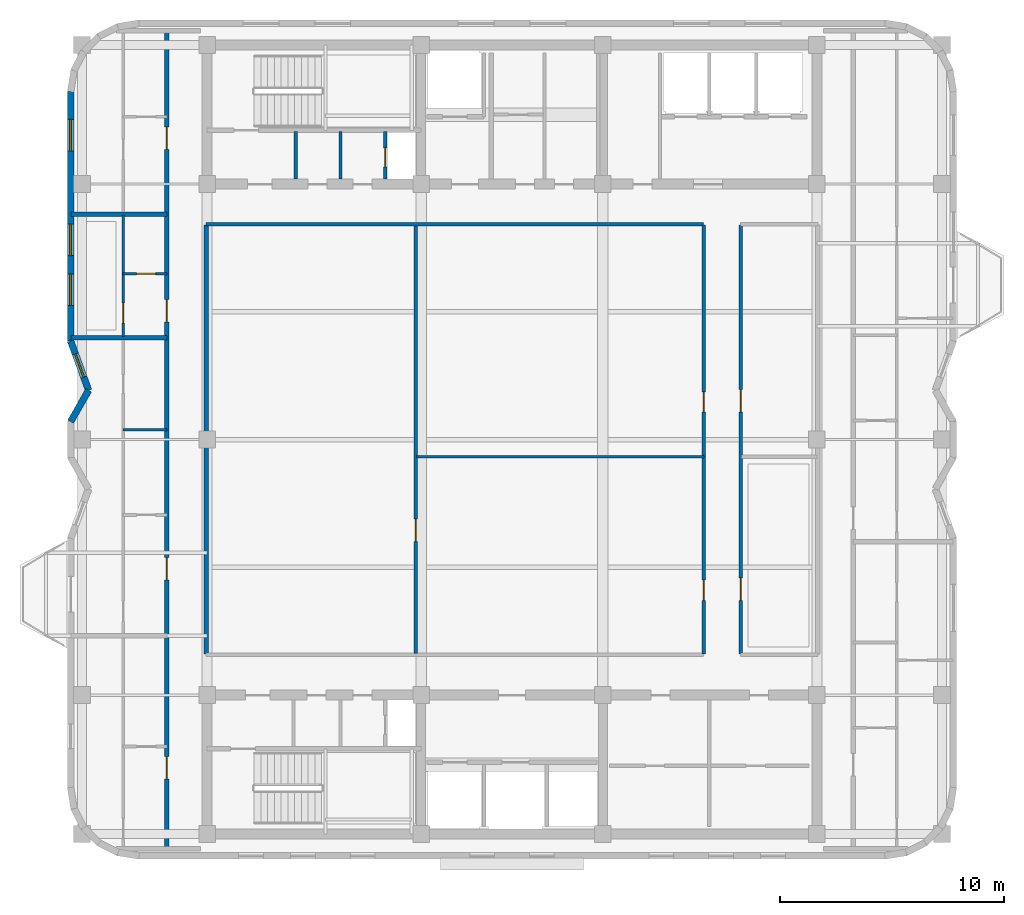
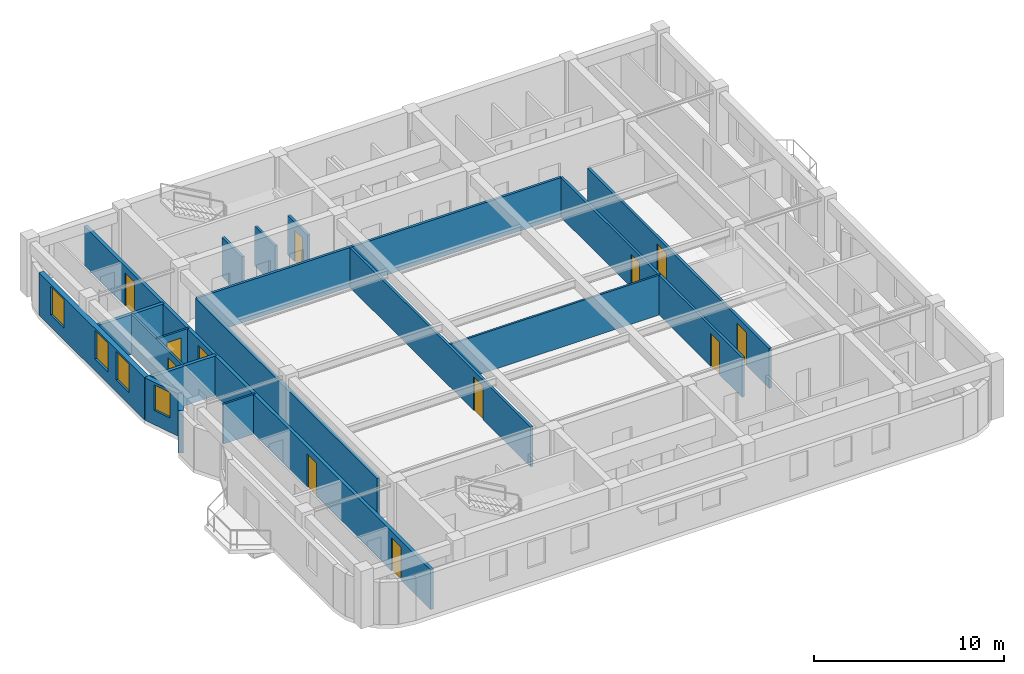
# One storey, part 4 of 9: 18 walls, 12 doors, 4 windows, 16 openings.
"""IFC4 building model written with IfcOpenShell, lengths in metres."""

from ifc_helpers import new_model, si_unit, direction, frame, frame_2d, origin, place, context, subcontext, project, spatial, rectangle, extrude, material, layer, layer_set, type_object, element, fill, save


model = new_model("IFC4")

# Units and contexts
model_context = context("Model", 3, precision=1e-05, world=origin(), true_north=direction((0.0, 1.0)))
body_context = subcontext(model_context, "Body", "Model", "MODEL_VIEW")
ifc_project = project(units=[si_unit("LENGTHUNIT", "METRE"), si_unit("AREAUNIT", "SQUARE_METRE"), si_unit("VOLUMEUNIT", "CUBIC_METRE"), si_unit("PLANEANGLEUNIT", "RADIAN"), si_unit("MASSUNIT", "GRAM", prefix="KILO")], contexts=[model_context])

# Site, building, storey
site_placement = place(None, origin())
site = spatial("IfcSite", under=ifc_project, at=site_placement, CompositionType="ELEMENT")
building_placement = place(site_placement, origin())
building = spatial("IfcBuilding", under=site, at=building_placement, Name="Svetorya Sky Lyceum", CompositionType="ELEMENT")
storey_placement = place(building_placement, frame((0.0, 0.0, 271.300048828125)))
storey = spatial("IfcBuildingStorey", under=building, at=storey_placement, Name="L68", CompositionType="ELEMENT", Elevation=271.300048828125)

# Wall, openings, windows
ifc_material_1 = material(Name="Putilovo limestone rainscreen on autoclaved cellular masonry", Category="masonry")
ifc_layer_1 = layer(ifc_material_1, 0.300048828125)
ifc_layer_set_1 = layer_set([ifc_layer_1], Name="Putilovo limestone rainscreen on autoclaved cellular masonry")
wall_type_1 = type_object("IfcWallType", Name="WL-EXT-300", PredefinedType="SOLIDWALL", material=ifc_layer_set_1)
wall_1_placement = place(storey_placement, frame((19.510009765625, 43.719970703125, 0.0), z_axis=(0.0, 0.0, 1.0), x_axis=(0.0, -1.0, 0.0)))
wall_1 = element("IfcWall", 1, at=wall_1_placement, inside=storey, type_object=wall_type_1, Name="L68 Limestone Exterior Wall 30M", PredefinedType="SOLIDWALL", context=body_context, shape_type="SweptSolid", body=[
    extrude(rectangle(XDim=11.119873046875, YDim=0.300048828125, at=frame_2d((5.56005859375, 0.0))), origin(), (0.0, 0.0, 1.0), 2.72998046875),
])
opening_1_placement = place(wall_1_placement, frame((1.23681640625, 0.0, 0.760009765625)))
opening_1 = element("IfcOpeningElement", 2, at=opening_1_placement, cuts=wall_1, Name="Opening W-R2", PredefinedType="OPENING", context=body_context, shape_type="SweptSolid", body=[
    extrude(rectangle(XDim=1.39990234375, YDim=1.85009765625, at=frame_2d((0.699951171875, 0.925048828125))), frame((0.0, 0.159912109375, 0.0), z_axis=(0.0, -1.0, 0.0), x_axis=(1.0, 0.0, 0.0)), (0.0, 0.0, 1.0), 0.320068359375),
])
opening_2_placement = place(wall_1_placement, frame((5.909912109375, 0.0, 0.760009765625)))
opening_2 = element("IfcOpeningElement", 3, at=opening_2_placement, cuts=wall_1, Name="Opening W-R2", PredefinedType="OPENING", context=body_context, shape_type="SweptSolid", body=[
    extrude(rectangle(XDim=1.39990234375, YDim=1.85009765625, at=frame_2d((0.699951171875, 0.925048828125))), frame((0.0, 0.159912109375, 0.0), z_axis=(0.0, -1.0, 0.0), x_axis=(1.0, 0.0, 0.0)), (0.0, 0.0, 1.0), 0.320068359375),
])
opening_3_placement = place(wall_1_placement, frame((8.13330078125, 0.0, 0.760009765625)))
opening_3 = element("IfcOpeningElement", 4, at=opening_3_placement, cuts=wall_1, Name="Opening W-R2", PredefinedType="OPENING", context=body_context, shape_type="SweptSolid", body=[
    extrude(rectangle(XDim=1.39990234375, YDim=1.85009765625, at=frame_2d((0.699951171875, 0.925048828125))), frame((0.0, 0.159912109375, 0.0), z_axis=(0.0, -1.0, 0.0), x_axis=(1.0, 0.0, 0.0)), (0.0, 0.0, 1.0), 0.320068359375),
])
ifc_material_2 = material(Name="Thermally broken aluminium frame with triple low-E glazing", Category="aluminium")
window_type_1 = type_object("IfcWindowType", Name="WN-RES-140", PartitioningType="SINGLE_PANEL", PredefinedType="WINDOW", material=ifc_material_2)
window_1_placement = place(opening_1_placement, origin())
window_1 = element("IfcWindow", 5, at=window_1_placement, inside=storey, type_object=window_type_1, Name="L68 Facade Window W-R2.30M.1", OverallHeight=1.85009765625, OverallWidth=1.39990234375, PartitioningType="SINGLE_PANEL", PredefinedType="WINDOW", context=body_context, shape_type="SweptSolid", body=[
    extrude(rectangle(XDim=1.39990234375, YDim=1.85009765625, at=frame_2d((0.699951171875, 0.925048828125))), frame((0.0, 0.030029296875, 0.0), z_axis=(0.0, -1.0, 0.0), x_axis=(1.0, 0.0, 0.0)), (0.0, 0.0, 1.0), 0.06005859375),
])
fill(opening_1, window_1)
window_2_placement = place(opening_2_placement, origin())
window_2 = element("IfcWindow", 6, at=window_2_placement, inside=storey, type_object=window_type_1, Name="L68 Facade Window W-R2.30M.2", OverallHeight=1.85009765625, OverallWidth=1.39990234375, PartitioningType="SINGLE_PANEL", PredefinedType="WINDOW", context=body_context, shape_type="SweptSolid", body=[
    extrude(rectangle(XDim=1.39990234375, YDim=1.85009765625, at=frame_2d((0.699951171875, 0.925048828125))), frame((0.0, 0.030029296875, 0.0), z_axis=(0.0, -1.0, 0.0), x_axis=(1.0, 0.0, 0.0)), (0.0, 0.0, 1.0), 0.06005859375),
])
fill(opening_2, window_2)
window_3_placement = place(opening_3_placement, origin())
window_3 = element("IfcWindow", 7, at=window_3_placement, inside=storey, type_object=window_type_1, Name="L68 Facade Window W-R2.30M.3", OverallHeight=1.85009765625, OverallWidth=1.39990234375, PartitioningType="SINGLE_PANEL", PredefinedType="WINDOW", context=body_context, shape_type="SweptSolid", body=[
    extrude(rectangle(XDim=1.39990234375, YDim=1.85009765625, at=frame_2d((0.699951171875, 0.925048828125))), frame((0.0, 0.030029296875, 0.0), z_axis=(0.0, -1.0, 0.0), x_axis=(1.0, 0.0, 0.0)), (0.0, 0.0, 1.0), 0.06005859375),
])
fill(opening_3, window_3)

# Wall, opening, window
wall_2_placement = place(storey_placement, frame((19.510009765625, 32.60009765625, 0.0), z_axis=(0.0, 0.0, 1.0), x_axis=(0.341734690003, -0.939796468204, 0.0)))
wall_2 = element("IfcWall", 8, at=wall_2_placement, inside=storey, type_object=wall_type_1, Name="L68 Limestone Exterior Wall 31M", PredefinedType="SOLIDWALL", context=body_context, shape_type="SweptSolid", body=[
    extrude(rectangle(XDim=2.341064453125, YDim=0.300048828125, at=frame_2d((1.17041015625, 0.0))), origin(), (0.0, 0.0, 1.0), 2.72998046875),
])
opening_4_placement = place(wall_2_placement, frame((0.62060546875, 0.0, 0.919921875)))
opening_4 = element("IfcOpeningElement", 9, at=opening_4_placement, cuts=wall_2, Name="Opening W-R3", PredefinedType="OPENING", context=body_context, shape_type="SweptSolid", body=[
    extrude(rectangle(XDim=1.10009765625, YDim=1.64990234375, at=frame_2d((0.550048828125, 0.824951171875))), frame((0.0, 0.159912109375, 0.0), z_axis=(0.0, -1.0, 0.0), x_axis=(1.0, 0.0, 0.0)), (0.0, 0.0, 1.0), 0.320068359375),
])
window_type_2 = type_object("IfcWindowType", Name="WN-RES-110", PartitioningType="SINGLE_PANEL", PredefinedType="WINDOW", material=ifc_material_2)
window_4_placement = place(opening_4_placement, origin())
window_4 = element("IfcWindow", 10, at=window_4_placement, inside=storey, type_object=window_type_2, Name="L68 Facade Window W-R3.31M.1", OverallHeight=1.64990234375, OverallWidth=1.10009765625, PartitioningType="SINGLE_PANEL", PredefinedType="WINDOW", context=body_context, shape_type="SweptSolid", body=[
    extrude(rectangle(XDim=1.10009765625, YDim=1.64990234375, at=frame_2d((0.550048828125, 0.824951171875))), frame((0.0, 0.030029296875, 0.0), z_axis=(0.0, -1.0, 0.0), x_axis=(1.0, 0.0, 0.0)), (0.0, 0.0, 1.0), 0.06005859375),
])
fill(opening_4, window_4)

# Walls
wall_3_placement = place(storey_placement, frame((20.31005859375, 30.39990234375, 0.0), z_axis=(0.0, 0.0, 1.0), x_axis=(-0.496187856351, -0.868215187157, 0.0)))
element("IfcWall", 11, at=wall_3_placement, inside=storey, type_object=wall_type_1, Name="L68 Limestone Exterior Wall 32M", PredefinedType="SOLIDWALL", context=body_context, shape_type="SweptSolid", body=[
    extrude(rectangle(XDim=1.6123046875, YDim=0.300048828125, at=frame_2d((0.80615234375, 0.0))), origin(), (0.0, 0.0, 1.0), 2.72998046875),
])
ifc_material_3 = material(Name="Twin-stud galvanized framing with double fireboard", Category="gypsum")
ifc_layer_2 = layer(ifc_material_3, 0.1201171875)
ifc_layer_set_2 = layer_set([ifc_layer_2], Name="Twin-stud galvanized framing with double fireboard")
wall_type_2 = type_object("IfcWallType", Name="WL-PART-120", PredefinedType="PARTITIONING", material=ifc_layer_set_2)
wall_4_placement = place(storey_placement, frame((34.949951171875, 27.434326171875, 0.0), z_axis=(0.0, 0.0, 1.0), x_axis=(1.0, 0.0, 0.0)))
element("IfcWall", 12, at=wall_4_placement, inside=storey, type_object=wall_type_2, Name="L68 Interior Partition OFF-WHM", PredefinedType="PARTITIONING", context=body_context, shape_type="SweptSolid", body=[
    extrude(rectangle(XDim=12.81005859375, YDim=0.1201171875, at=frame_2d((6.405029296875, 0.0))), origin(), (0.0, 0.0, 1.0), 2.56005859375),
])
wall_5_placement = place(storey_placement, frame((21.85009765625, 28.639892578125, 0.0), z_axis=(0.0, 0.0, 1.0), x_axis=(1.0, 0.0, 0.0)))
element("IfcWall", 13, at=wall_5_placement, inside=storey, type_object=wall_type_2, Name="L68 Interior Partition W2-WH2", PredefinedType="PARTITIONING", context=body_context, shape_type="SweptSolid", body=[
    extrude(rectangle(XDim=1.949951171875, YDim=0.1201171875, at=frame_2d((0.97509765625, 0.0))), origin(), (0.0, 0.0, 1.0), 2.56005859375),
])

# Wall, opening, door
wall_6_placement = place(storey_placement, frame((21.85009765625, 35.60009765625, 0.0), z_axis=(0.0, 0.0, 1.0), x_axis=(1.0, 0.0, 0.0)))
wall_6 = element("IfcWall", 14, at=wall_6_placement, inside=storey, type_object=wall_type_2, Name="L68 Interior Partition W3-WH1", PredefinedType="PARTITIONING", context=body_context, shape_type="SweptSolid", body=[
    extrude(rectangle(XDim=1.949951171875, YDim=0.1201171875, at=frame_2d((0.97509765625, 0.0))), origin(), (0.0, 0.0, 1.0), 2.56005859375),
])
opening_5_placement = place(wall_6_placement, frame((0.60009765625, 0.0, 0.0)))
opening_5 = element("IfcOpeningElement", 15, at=opening_5_placement, cuts=wall_6, Name="Opening D-BT1", PredefinedType="OPENING", context=body_context, shape_type="SweptSolid", body=[
    extrude(rectangle(XDim=0.85009765625, YDim=2.10009765625, at=frame_2d((0.425048828125, 1.050048828125))), frame((0.0, 0.070068359375, 0.0), z_axis=(0.0, -1.0, 0.0), x_axis=(1.0, 0.0, 0.0)), (0.0, 0.0, 1.0), 0.14013671875),
])
ifc_material_4 = material(Name="Moisture-resistant laminate bathroom door")
door_type_1 = type_object("IfcDoorType", Name="DR-WET-850", OperationType="SINGLE_SWING_LEFT", PredefinedType="DOOR", material=ifc_material_4)
door_1_placement = place(opening_5_placement, origin())
door_1 = element("IfcDoor", 16, at=door_1_placement, inside=storey, type_object=door_type_1, Name="Apartment W3 Bathroom Door", OperationType="SINGLE_SWING_LEFT", OverallHeight=2.10009765625, OverallWidth=0.85009765625, PredefinedType="DOOR", context=body_context, shape_type="SweptSolid", body=[
    extrude(rectangle(XDim=0.85009765625, YDim=2.10009765625, at=frame_2d((0.425048828125, 1.050048828125))), frame((0.0, 0.02490234375, 0.0), z_axis=(0.0, -1.0, 0.0), x_axis=(1.0, 0.0, 0.0)), (0.0, 0.0, 1.0), 0.050048828125),
])
fill(opening_5, door_1)

wall_7_placement = place(storey_placement, frame((21.85009765625, 32.7900390625, 0.0), z_axis=(0.0, 0.0, 1.0), x_axis=(0.0, 1.0, 0.0)))
wall_7 = element("IfcWall", 17, at=wall_7_placement, inside=storey, type_object=wall_type_2, Name="L68 Interior Partition W3-WV", PredefinedType="PARTITIONING", context=body_context, shape_type="SweptSolid", body=[
    extrude(rectangle(XDim=5.419921875, YDim=0.1201171875, at=frame_2d((2.7099609375, 0.0))), origin(), (0.0, 0.0, 1.0), 2.56005859375),
])
opening_6_placement = place(wall_7_placement, frame((0.610107421875, 0.0, 0.0)))
opening_6 = element("IfcOpeningElement", 18, at=opening_6_placement, cuts=wall_7, Name="Opening D-RM1", PredefinedType="OPENING", context=body_context, shape_type="SweptSolid", body=[
    extrude(rectangle(XDim=0.89990234375, YDim=2.10009765625, at=frame_2d((0.449951171875, 1.050048828125))), frame((0.0, 0.070068359375, 0.0), z_axis=(0.0, -1.0, 0.0), x_axis=(1.0, 0.0, 0.0)), (0.0, 0.0, 1.0), 0.14013671875),
])
ifc_material_5 = material(Name="Lacquered birch veneer internal door")
door_type_2 = type_object("IfcDoorType", Name="DR-INT-900", OperationType="SINGLE_SWING_LEFT", PredefinedType="DOOR", material=ifc_material_5)
door_2_placement = place(opening_6_placement, origin())
door_2 = element("IfcDoor", 19, at=door_2_placement, inside=storey, type_object=door_type_2, Name="Apartment W3 Living Door", OperationType="SINGLE_SWING_RIGHT", OverallHeight=2.10009765625, OverallWidth=0.89990234375, PredefinedType="DOOR", context=body_context, shape_type="SweptSolid", body=[
    extrude(rectangle(XDim=0.89990234375, YDim=2.10009765625, at=frame_2d((0.449951171875, 1.050048828125))), frame((0.0, 0.02490234375, 0.0), z_axis=(0.0, -1.0, 0.0), x_axis=(1.0, 0.0, 0.0)), (0.0, 0.0, 1.0), 0.050048828125),
])
fill(opening_6, door_2)

ifc_material_6 = material(Name="Autoclaved cellular masonry blockwork with acoustic render", Category="masonry")
ifc_layer_3 = layer(ifc_material_6, 0.14990234375)
ifc_layer_set_3 = layer_set([ifc_layer_3], Name="Autoclaved cellular masonry blockwork with acoustic render")
wall_type_3 = type_object("IfcWallType", Name="WL-PART-150", PredefinedType="PARTITIONING", material=ifc_layer_set_3)
wall_8_placement = place(storey_placement, frame((33.550048828125, 39.820068359375, 0.0), z_axis=(0.0, 0.0, 1.0), x_axis=(0.0, 1.0, 0.0)))
wall_8 = element("IfcWall", 20, at=wall_8_placement, inside=storey, type_object=wall_type_3, Name="L68 Interior Partition NC-RSRW", PredefinedType="PARTITIONING", context=body_context, shape_type="SweptSolid", body=[
    extrude(rectangle(XDim=2.1298828125, YDim=0.14990234375, at=frame_2d((1.06494140625, 0.0))), origin(), (0.0, 0.0, 1.0), 2.56005859375),
])
opening_7_placement = place(wall_8_placement, frame((0.550048828125, 0.0, 0.0)))
opening_7 = element("IfcOpeningElement", 21, at=opening_7_placement, cuts=wall_8, Name="Opening D-SH1", PredefinedType="OPENING", context=body_context, shape_type="SweptSolid", body=[
    extrude(rectangle(XDim=0.85009765625, YDim=2.050048828125, at=frame_2d((0.425048828125, 1.02490234375))), frame((0.0, 0.0849609375, 0.0), z_axis=(0.0, -1.0, 0.0), x_axis=(1.0, 0.0, 0.0)), (0.0, 0.0, 1.0), 0.169921875),
])
ifc_material_7 = material(Name="Insulated galvanized riser inspection fire door")
door_type_3 = type_object("IfcDoorType", Name="DR-SHFT-850", OperationType="SINGLE_SWING_LEFT", PredefinedType="TRAPDOOR", material=ifc_material_7)
door_3_placement = place(opening_7_placement, origin())
door_3 = element("IfcDoor", 22, at=door_3_placement, inside=storey, type_object=door_type_3, Name="L68 North Riser Access Door", OperationType="SINGLE_SWING_LEFT", OverallHeight=2.050048828125, OverallWidth=0.85009765625, PredefinedType="TRAPDOOR", context=body_context, shape_type="SweptSolid", body=[
    extrude(rectangle(XDim=0.85009765625, YDim=2.050048828125, at=frame_2d((0.425048828125, 1.02490234375))), frame((0.0, 0.02490234375, 0.0), z_axis=(0.0, -1.0, 0.0), x_axis=(1.0, 0.0, 0.0)), (0.0, 0.0, 1.0), 0.050048828125),
])
fill(opening_7, door_3)

# Walls
for number, where, z_axis, x_axis, name in (
    (23, (29.550048828125, 39.820068359375, 0.0), (0.0, 0.0, 1.0), (0.0, 1.0, 0.0), "L68 Interior Partition NC-NWD1"),
    (24, (31.550048828125, 39.820068359375, 0.0), (0.0, 0.0, 1.0), (0.0, 1.0, 0.0), "L68 Interior Partition NC-NWD2"),
):
    element("IfcWall", number, at=place(storey_placement, frame(where, z_axis=z_axis, x_axis=x_axis)), inside=storey, type_object=wall_type_3, Name=name, PredefinedType="PARTITIONING", context=body_context, shape_type="SweptSolid", body=[
        extrude(rectangle(XDim=2.1298828125, YDim=0.14990234375, at=frame_2d((1.06494140625, 0.0))), origin(), (0.0, 0.0, 1.0), 2.56005859375),
    ])
wall_9_placement = place(storey_placement, frame((25.550048828125, 37.800048828125, 0.0), z_axis=(0.0, 0.0, 1.0), x_axis=(1.0, 0.0, 0.0)))
element("IfcWall", 25, at=wall_9_placement, inside=storey, type_object=wall_type_3, Name="L68 Interior Partition OFF-CN-W", PredefinedType="PARTITIONING", context=body_context, shape_type="SweptSolid", body=[
    extrude(rectangle(XDim=22.199951171875, YDim=0.14990234375, at=frame_2d((11.10009765625, 0.0))), origin(), (0.0, 0.0, 1.0), 2.56005859375),
])

# Wall, opening, door
wall_10_placement = place(storey_placement, frame((34.89990234375, 18.659912109375, 0.0), z_axis=(0.0, 0.0, 1.0), x_axis=(0.0, 1.0, 0.0)))
wall_10 = element("IfcWall", 26, at=wall_10_placement, inside=storey, type_object=wall_type_3, Name="L68 Interior Partition OFF-WVM", PredefinedType="PARTITIONING", context=body_context, shape_type="SweptSolid", body=[
    extrude(rectangle(XDim=19.080078125, YDim=0.14990234375, at=frame_2d((9.5400390625, 0.0))), origin(), (0.0, 0.0, 1.0), 2.56005859375),
])
opening_8_placement = place(wall_10_placement, frame((5.0, 0.0, 0.0)))
opening_8 = element("IfcOpeningElement", 27, at=opening_8_placement, cuts=wall_10, Name="Opening D-RM2", PredefinedType="OPENING", context=body_context, shape_type="SweptSolid", body=[
    extrude(rectangle(XDim=1.0, YDim=2.14990234375, at=frame_2d((0.5, 1.074951171875))), frame((0.0, 0.0849609375, 0.0), z_axis=(0.0, -1.0, 0.0), x_axis=(1.0, 0.0, 0.0)), (0.0, 0.0, 1.0), 0.169921875),
])
ifc_material_8 = material(Name="Solid-core oak acoustic room door")
door_type_4 = type_object("IfcDoorType", Name="DR-INT-1000", OperationType="SINGLE_SWING_LEFT", PredefinedType="DOOR", material=ifc_material_8)
door_4_placement = place(opening_8_placement, origin())
door_4 = element("IfcDoor", 28, at=door_4_placement, inside=storey, type_object=door_type_4, Name="L68 West Seminar Door", OperationType="SINGLE_SWING_LEFT", OverallHeight=2.14990234375, OverallWidth=1.0, PredefinedType="DOOR", context=body_context, shape_type="SweptSolid", body=[
    extrude(rectangle(XDim=1.0, YDim=2.14990234375, at=frame_2d((0.5, 1.074951171875))), frame((0.0, 0.02490234375, 0.0), z_axis=(0.0, -1.0, 0.0), x_axis=(1.0, 0.0, 0.0)), (0.0, 0.0, 1.0), 0.050048828125),
])
fill(opening_8, door_4)

# Wall, openings, doors
wall_11_placement = place(storey_placement, frame((47.75, 18.6298828125, 0.0), z_axis=(0.0, 0.0, 1.0), x_axis=(0.0, 1.0, 0.0)))
wall_11 = element("IfcWall", 29, at=wall_11_placement, inside=storey, type_object=wall_type_3, Name="L68 Interior Partition OFF-VW", PredefinedType="PARTITIONING", context=body_context, shape_type="SweptSolid", body=[
    extrude(rectangle(XDim=19.14013671875, YDim=0.14990234375, at=frame_2d((9.570068359375, 0.0))), origin(), (0.0, 0.0, 1.0), 2.56005859375),
])
opening_9_placement = place(wall_11_placement, frame((2.39990234375, 0.0, 0.0)))
opening_9 = element("IfcOpeningElement", 30, at=opening_9_placement, cuts=wall_11, Name="Opening D-RM1", PredefinedType="OPENING", context=body_context, shape_type="SweptSolid", body=[
    extrude(rectangle(XDim=0.89990234375, YDim=2.10009765625, at=frame_2d((0.449951171875, 1.050048828125))), frame((0.0, 0.0849609375, 0.0), z_axis=(0.0, -1.0, 0.0), x_axis=(1.0, 0.0, 0.0)), (0.0, 0.0, 1.0), 0.169921875),
])
opening_10_placement = place(wall_11_placement, frame((10.804443359375, 0.0, 0.0)))
opening_10 = element("IfcOpeningElement", 31, at=opening_10_placement, cuts=wall_11, Name="Opening D-RM1", PredefinedType="OPENING", context=body_context, shape_type="SweptSolid", body=[
    extrude(rectangle(XDim=0.89990234375, YDim=2.10009765625, at=frame_2d((0.449951171875, 1.050048828125))), frame((0.0, 0.0849609375, 0.0), z_axis=(0.0, -1.0, 0.0), x_axis=(1.0, 0.0, 0.0)), (0.0, 0.0, 1.0), 0.169921875),
])
door_5_placement = place(opening_9_placement, origin())
door_5 = element("IfcDoor", 32, at=door_5_placement, inside=storey, type_object=door_type_2, Name="L68 Study Door", OperationType="SINGLE_SWING_LEFT", OverallHeight=2.10009765625, OverallWidth=0.89990234375, PredefinedType="DOOR", context=body_context, shape_type="SweptSolid", body=[
    extrude(rectangle(XDim=0.89990234375, YDim=2.10009765625, at=frame_2d((0.449951171875, 1.050048828125))), frame((0.0, 0.02490234375, 0.0), z_axis=(0.0, -1.0, 0.0), x_axis=(1.0, 0.0, 0.0)), (0.0, 0.0, 1.0), 0.050048828125),
])
fill(opening_9, door_5)
door_6_placement = place(opening_10_placement, origin())
door_6 = element("IfcDoor", 33, at=door_6_placement, inside=storey, type_object=door_type_2, Name="L68 Office Door", OperationType="SINGLE_SWING_RIGHT", OverallHeight=2.10009765625, OverallWidth=0.89990234375, PredefinedType="DOOR", context=body_context, shape_type="SweptSolid", body=[
    extrude(rectangle(XDim=0.89990234375, YDim=2.10009765625, at=frame_2d((0.449951171875, 1.050048828125))), frame((0.0, 0.02490234375, 0.0), z_axis=(0.0, -1.0, 0.0), x_axis=(1.0, 0.0, 0.0)), (0.0, 0.0, 1.0), 0.050048828125),
])
fill(opening_10, door_6)

wall_12_placement = place(storey_placement, frame((49.39990234375, 18.6298828125, 0.0), z_axis=(0.0, 0.0, 1.0), x_axis=(0.0, 1.0, 0.0)))
wall_12 = element("IfcWall", 34, at=wall_12_placement, inside=storey, type_object=wall_type_3, Name="L68 Interior Partition OFF-VE", PredefinedType="PARTITIONING", context=body_context, shape_type="SweptSolid", body=[
    extrude(rectangle(XDim=19.14013671875, YDim=0.14990234375, at=frame_2d((9.570068359375, 0.0))), origin(), (0.0, 0.0, 1.0), 2.56005859375),
])
opening_11_placement = place(wall_12_placement, frame((2.39990234375, 0.0, 0.0)))
opening_11 = element("IfcOpeningElement", 35, at=opening_11_placement, cuts=wall_12, Name="Opening D-RM2", PredefinedType="OPENING", context=body_context, shape_type="SweptSolid", body=[
    extrude(rectangle(XDim=1.0, YDim=2.14990234375, at=frame_2d((0.5, 1.074951171875))), frame((0.0, 0.0849609375, 0.0), z_axis=(0.0, -1.0, 0.0), x_axis=(1.0, 0.0, 0.0)), (0.0, 0.0, 1.0), 0.169921875),
])
opening_12_placement = place(wall_12_placement, frame((10.804443359375, 0.0, 0.0)))
opening_12 = element("IfcOpeningElement", 36, at=opening_12_placement, cuts=wall_12, Name="Opening D-RM2", PredefinedType="OPENING", context=body_context, shape_type="SweptSolid", body=[
    extrude(rectangle(XDim=1.0, YDim=2.14990234375, at=frame_2d((0.5, 1.074951171875))), frame((0.0, 0.0849609375, 0.0), z_axis=(0.0, -1.0, 0.0), x_axis=(1.0, 0.0, 0.0)), (0.0, 0.0, 1.0), 0.169921875),
])
door_7_placement = place(opening_11_placement, origin())
door_7 = element("IfcDoor", 37, at=door_7_placement, inside=storey, type_object=door_type_4, Name="L68 Club Door", OperationType="SINGLE_SWING_RIGHT", OverallHeight=2.14990234375, OverallWidth=1.0, PredefinedType="DOOR", context=body_context, shape_type="SweptSolid", body=[
    extrude(rectangle(XDim=1.0, YDim=2.14990234375, at=frame_2d((0.5, 1.074951171875))), frame((0.0, 0.02490234375, 0.0), z_axis=(0.0, -1.0, 0.0), x_axis=(1.0, 0.0, 0.0)), (0.0, 0.0, 1.0), 0.050048828125),
])
fill(opening_11, door_7)
door_8_placement = place(opening_12_placement, origin())
door_8 = element("IfcDoor", 38, at=door_8_placement, inside=storey, type_object=door_type_4, Name="L68 Seminar Door", OperationType="SINGLE_SWING_LEFT", OverallHeight=2.14990234375, OverallWidth=1.0, PredefinedType="DOOR", context=body_context, shape_type="SweptSolid", body=[
    extrude(rectangle(XDim=1.0, YDim=2.14990234375, at=frame_2d((0.5, 1.074951171875))), frame((0.0, 0.02490234375, 0.0), z_axis=(0.0, -1.0, 0.0), x_axis=(1.0, 0.0, 0.0)), (0.0, 0.0, 1.0), 0.050048828125),
])
fill(opening_12, door_8)

# Walls
ifc_material_9 = material(Name="Autoclaved cellular masonry blockwork with gypsum plaster", Category="masonry")
ifc_layer_4 = layer(ifc_material_9, 0.199951171875)
ifc_layer_set_4 = layer_set([ifc_layer_4], Name="Autoclaved cellular masonry blockwork with gypsum plaster")
wall_type_4 = type_object("IfcWallType", Name="WL-PART-200", PredefinedType="PARTITIONING", material=ifc_layer_set_4)
wall_13_placement = place(storey_placement, frame((25.550048828125, 18.6298828125, 0.0), z_axis=(0.0, 0.0, 1.0), x_axis=(0.0, 1.0, 0.0)))
element("IfcWall", 39, at=wall_13_placement, inside=storey, type_object=wall_type_4, Name="L68 Interior Partition W-CEN-SEP", PredefinedType="PARTITIONING", context=body_context, shape_type="SweptSolid", body=[
    extrude(rectangle(XDim=19.14013671875, YDim=0.199951171875, at=frame_2d((9.570068359375, 0.0))), origin(), (0.0, 0.0, 1.0), 2.56005859375),
])
for number, where, z_axis, x_axis, name in (
    (40, (19.530029296875, 32.75, 0.0), (0.0, 0.0, 1.0), (1.0, 0.0, 0.0), "L68 Interior Partition W-PARTY-2"),
    (41, (19.530029296875, 38.25, 0.0), (0.0, 0.0, 1.0), (1.0, 0.0, 0.0), "L68 Interior Partition W-PARTY-3"),
):
    element("IfcWall", number, at=place(storey_placement, frame(where, z_axis=z_axis, x_axis=x_axis)), inside=storey, type_object=wall_type_4, Name=name, PredefinedType="PARTITIONING", context=body_context, shape_type="SweptSolid", body=[
        extrude(rectangle(XDim=4.27001953125, YDim=0.199951171875, at=frame_2d((2.135009765625, 0.0))), origin(), (0.0, 0.0, 1.0), 2.56005859375),
    ])

# Wall, openings, doors
wall_14_placement = place(storey_placement, frame((23.800048828125, 9.949951171875, 0.0), z_axis=(0.0, 0.0, 1.0), x_axis=(0.0, 1.0, 0.0)))
wall_14 = element("IfcWall", 42, at=wall_14_placement, inside=storey, type_object=wall_type_4, Name="L68 Interior Partition W-CORRW", PredefinedType="PARTITIONING", context=body_context, shape_type="SweptSolid", body=[
    extrude(rectangle(XDim=36.5, YDim=0.199951171875, at=frame_2d((18.25, 0.0))), origin(), (0.0, 0.0, 1.0), 2.56005859375),
])
opening_13_placement = place(wall_14_placement, frame((3.110107421875, 0.0, 0.0)))
opening_13 = element("IfcOpeningElement", 43, at=opening_13_placement, cuts=wall_14, Name="Opening D-APT1", PredefinedType="OPENING", context=body_context, shape_type="SweptSolid", body=[
    extrude(rectangle(XDim=1.0, YDim=2.14990234375, at=frame_2d((0.5, 1.074951171875))), frame((0.0, 0.10986328125, 0.0), z_axis=(0.0, -1.0, 0.0), x_axis=(1.0, 0.0, 0.0)), (0.0, 0.0, 1.0), 0.219970703125),
])
opening_14_placement = place(wall_14_placement, frame((11.989990234375, 0.0, 0.0)))
opening_14 = element("IfcOpeningElement", 44, at=opening_14_placement, cuts=wall_14, Name="Opening D-APT1", PredefinedType="OPENING", context=body_context, shape_type="SweptSolid", body=[
    extrude(rectangle(XDim=1.0, YDim=2.14990234375, at=frame_2d((0.5, 1.074951171875))), frame((0.0, 0.10986328125, 0.0), z_axis=(0.0, -1.0, 0.0), x_axis=(1.0, 0.0, 0.0)), (0.0, 0.0, 1.0), 0.219970703125),
])
opening_15_placement = place(wall_14_placement, frame((23.5, 0.0, 0.0)))
opening_15 = element("IfcOpeningElement", 45, at=opening_15_placement, cuts=wall_14, Name="Opening D-APT1", PredefinedType="OPENING", context=body_context, shape_type="SweptSolid", body=[
    extrude(rectangle(XDim=1.0, YDim=2.14990234375, at=frame_2d((0.5, 1.074951171875))), frame((0.0, 0.10986328125, 0.0), z_axis=(0.0, -1.0, 0.0), x_axis=(1.0, 0.0, 0.0)), (0.0, 0.0, 1.0), 0.219970703125),
])
opening_16_placement = place(wall_14_placement, frame((31.199951171875, 0.0, 0.0)))
opening_16 = element("IfcOpeningElement", 46, at=opening_16_placement, cuts=wall_14, Name="Opening D-APT1", PredefinedType="OPENING", context=body_context, shape_type="SweptSolid", body=[
    extrude(rectangle(XDim=1.0, YDim=2.14990234375, at=frame_2d((0.5, 1.074951171875))), frame((0.0, 0.10986328125, 0.0), z_axis=(0.0, -1.0, 0.0), x_axis=(1.0, 0.0, 0.0)), (0.0, 0.0, 1.0), 0.219970703125),
])
ifc_material_10 = material(Name="Insulated oak-veneered apartment entrance door")
door_type_5 = type_object("IfcDoorType", Name="DR-APT-1000", OperationType="SINGLE_SWING_LEFT", PredefinedType="DOOR", material=ifc_material_10)
door_9_placement = place(opening_13_placement, origin())
door_9 = element("IfcDoor", 47, at=door_9_placement, inside=storey, type_object=door_type_5, Name="L68 Apartment W1 Entrance Door", OperationType="SINGLE_SWING_LEFT", OverallHeight=2.14990234375, OverallWidth=1.0, PredefinedType="DOOR", context=body_context, shape_type="SweptSolid", body=[
    extrude(rectangle(XDim=1.0, YDim=2.14990234375, at=frame_2d((0.5, 1.074951171875))), frame((0.0, 0.02490234375, 0.0), z_axis=(0.0, -1.0, 0.0), x_axis=(1.0, 0.0, 0.0)), (0.0, 0.0, 1.0), 0.050048828125),
])
fill(opening_13, door_9)
door_10_placement = place(opening_14_placement, origin())
door_10 = element("IfcDoor", 48, at=door_10_placement, inside=storey, type_object=door_type_5, Name="L68 Apartment W2 Entrance Door", OperationType="SINGLE_SWING_RIGHT", OverallHeight=2.14990234375, OverallWidth=1.0, PredefinedType="DOOR", context=body_context, shape_type="SweptSolid", body=[
    extrude(rectangle(XDim=1.0, YDim=2.14990234375, at=frame_2d((0.5, 1.074951171875))), frame((0.0, 0.02490234375, 0.0), z_axis=(0.0, -1.0, 0.0), x_axis=(1.0, 0.0, 0.0)), (0.0, 0.0, 1.0), 0.050048828125),
])
fill(opening_14, door_10)
door_11_placement = place(opening_15_placement, origin())
door_11 = element("IfcDoor", 49, at=door_11_placement, inside=storey, type_object=door_type_5, Name="L68 Apartment W3 Entrance Door", OperationType="SINGLE_SWING_LEFT", OverallHeight=2.14990234375, OverallWidth=1.0, PredefinedType="DOOR", context=body_context, shape_type="SweptSolid", body=[
    extrude(rectangle(XDim=1.0, YDim=2.14990234375, at=frame_2d((0.5, 1.074951171875))), frame((0.0, 0.02490234375, 0.0), z_axis=(0.0, -1.0, 0.0), x_axis=(1.0, 0.0, 0.0)), (0.0, 0.0, 1.0), 0.050048828125),
])
fill(opening_15, door_11)
door_12_placement = place(opening_16_placement, origin())
door_12 = element("IfcDoor", 50, at=door_12_placement, inside=storey, type_object=door_type_5, Name="L68 Apartment W4 Entrance Door", OperationType="SINGLE_SWING_RIGHT", OverallHeight=2.14990234375, OverallWidth=1.0, PredefinedType="DOOR", context=body_context, shape_type="SweptSolid", body=[
    extrude(rectangle(XDim=1.0, YDim=2.14990234375, at=frame_2d((0.5, 1.074951171875))), frame((0.0, 0.02490234375, 0.0), z_axis=(0.0, -1.0, 0.0), x_axis=(1.0, 0.0, 0.0)), (0.0, 0.0, 1.0), 0.050048828125),
])
fill(opening_16, door_12)

save(model, "model.ifc")
